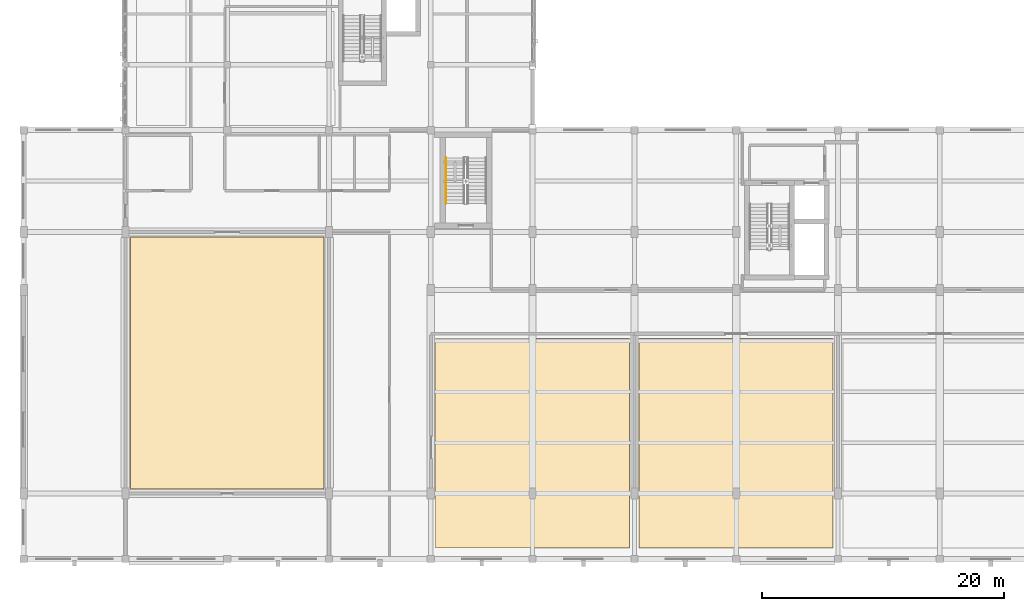
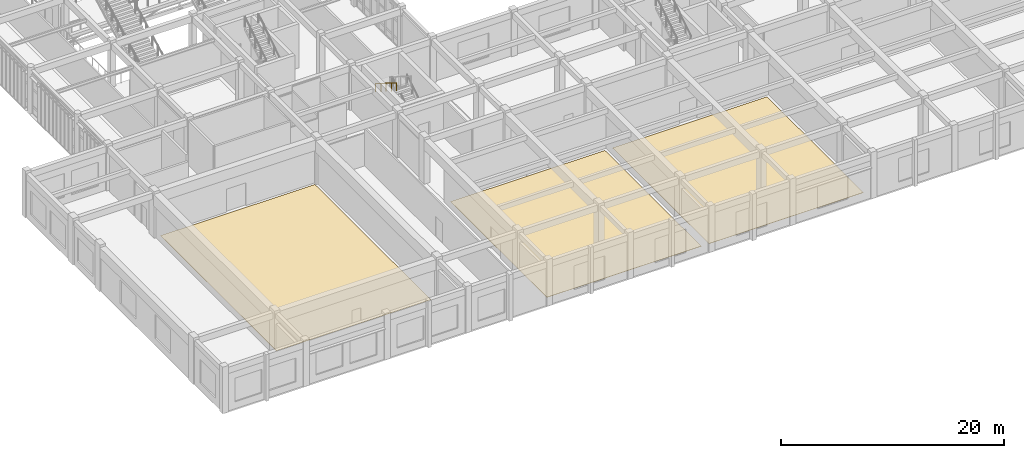
# One storey, part 85 of 93: 3 coverings, 1 railing.
"""IFC4 building model written with IfcOpenShell, lengths in metres."""

from ifc_helpers import new_model, si_unit, direction, frame, origin, origin_2d, place, context, subcontext, project, spatial, polyline, circle, outline, extrude, material, layer, layer_set, type_object, element, save


model = new_model("IFC4")

# Units and contexts
model_context = context("Model", 3, precision=1e-05, world=origin(), true_north=direction((0.0, 1.0)))
body_context = subcontext(model_context, "Body", "Model", "MODEL_VIEW")
ifc_project = project(units=[si_unit("LENGTHUNIT", "METRE"), si_unit("AREAUNIT", "SQUARE_METRE"), si_unit("VOLUMEUNIT", "CUBIC_METRE"), si_unit("PLANEANGLEUNIT", "RADIAN"), si_unit("MASSUNIT", "GRAM", prefix="KILO")], contexts=[model_context])

# Site, building, storey
site_placement = place(None, origin())
site = spatial("IfcSite", under=ifc_project, at=site_placement, CompositionType="ELEMENT")
building_placement = place(site_placement, origin())
building = spatial("IfcBuilding", under=site, at=building_placement, Name="Krzemoval Escarpment Law Courts", CompositionType="ELEMENT")
storey_placement = place(building_placement, frame((0.0, 0.0, 10.199951171875)))
storey = spatial("IfcBuildingStorey", under=building, at=storey_placement, Name="L02", CompositionType="ELEMENT", Elevation=10.199951171875)

# Coverings
ifc_material_1 = material(Name="Honed Silesian Granite Stone Flooring", Category="masonry")
ifc_layer = layer(ifc_material_1, 0.030029296875)
ifc_layer_set = layer_set([ifc_layer], Name="Honed Silesian Granite Stone Flooring")
covering_type = type_object("IfcCoveringType", Name="COV-FLR-STN30", PredefinedType="FLOORING", material=ifc_layer_set)
covering_1_placement = place(storey_placement, origin())
element("IfcCovering", 1, at=covering_1_placement, inside=storey, type_object=covering_type, Name="Stone Floor Finish FLR-L02-22", PredefinedType="FLOORING", context=body_context, shape_type="SweptSolid", body=[
    extrude(outline(polyline([(8.800048828125, 5.800048828125), (8.800048828125, 26.60009765625), (24.800048828125, 26.60009765625), (24.800048828125, 5.800048828125), (8.800048828125, 5.800048828125)])), origin(), (0.0, 0.0, 1.0), 0.030029296875),
])
covering_2_placement = place(storey_placement, origin())
element("IfcCovering", 2, at=covering_2_placement, inside=storey, type_object=covering_type, Name="Stone Floor Finish FLR-L02-23", PredefinedType="FLOORING", context=body_context, shape_type="SweptSolid", body=[
    extrude(outline(polyline([(34.0, 0.89990234375), (34.0, 18.199951171875), (50.0, 18.199951171875), (50.0, 0.89990234375), (34.0, 0.89990234375)])), origin(), (0.0, 0.0, 1.0), 0.030029296875),
])
covering_3_placement = place(storey_placement, origin())
element("IfcCovering", 3, at=covering_3_placement, inside=storey, type_object=covering_type, Name="Stone Floor Finish FLR-L02-24", PredefinedType="FLOORING", context=body_context, shape_type="SweptSolid", body=[
    extrude(outline(polyline([(50.800048828125, 0.89990234375), (50.800048828125, 18.199951171875), (66.800048828125, 18.199951171875), (66.800048828125, 0.89990234375), (50.800048828125, 0.89990234375)])), origin(), (0.0, 0.0, 1.0), 0.030029296875),
])

# Railing
ifc_material_2 = material(Name="Brushed Stainless Steel Grade 304 Handrail", Category="steel")
railing_type = type_object("IfcRailingType", Name="RL-HND-900", PredefinedType="HANDRAIL", material=ifc_material_2)
railing_placement = place(storey_placement, frame((34.85009765625, 33.1201171875, 2.732177734375)))
element("IfcRailing", 4, at=railing_placement, inside=storey, type_object=railing_type, Name="L02 ST9 stair handrail 2", PredefinedType="HANDRAIL", context=body_context, shape_type="SweptSolid", body=[
    extrude(circle(Radius=0.02392578125, at=origin_2d()), frame((0.0, 0.0, 0.8759765625), z_axis=(0.0, -0.846819337722, 0.53188063441), x_axis=(1.0, 0.0, 0.0)), (0.0, 0.0, 1.0), 4.451904296875),
    extrude(circle(Radius=0.02099609375, at=origin_2d()), origin(), (0.0, 0.0, 1.0), 0.851806640625),
    extrude(circle(Radius=0.02099609375, at=origin_2d()), frame((0.0, -0.9423828125, 0.592041015625)), (0.0, 0.0, 1.0), 0.851806640625),
    extrude(circle(Radius=0.02099609375, at=origin_2d()), frame((0.0, -1.885009765625, 1.18408203125)), (0.0, 0.0, 1.0), 0.851806640625),
    extrude(circle(Radius=0.02099609375, at=origin_2d()), frame((0.0, -2.82763671875, 1.77587890625)), (0.0, 0.0, 1.0), 0.851806640625),
    extrude(circle(Radius=0.02099609375, at=origin_2d()), frame((0.0, -3.77001953125, 2.367919921875)), (0.0, 0.0, 1.0), 0.851806640625),
])

save(model, "model.ifc")
